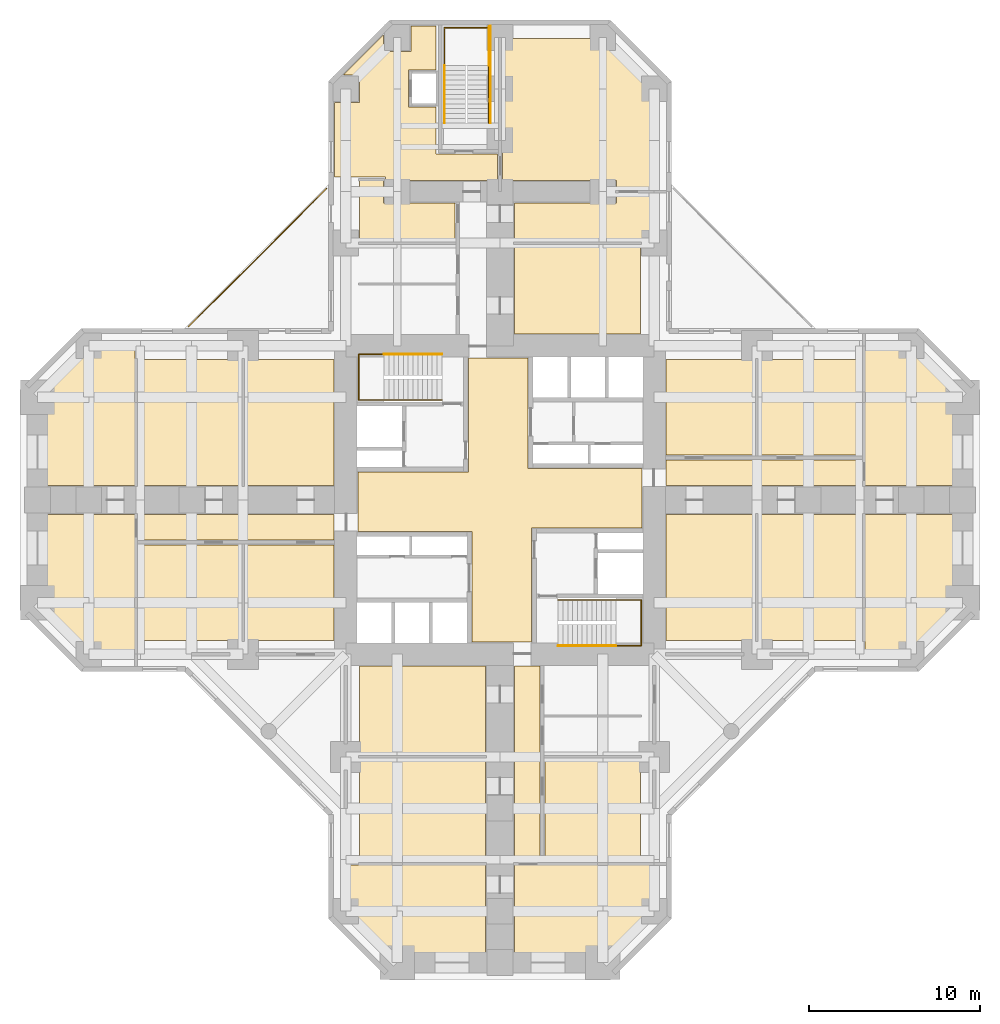
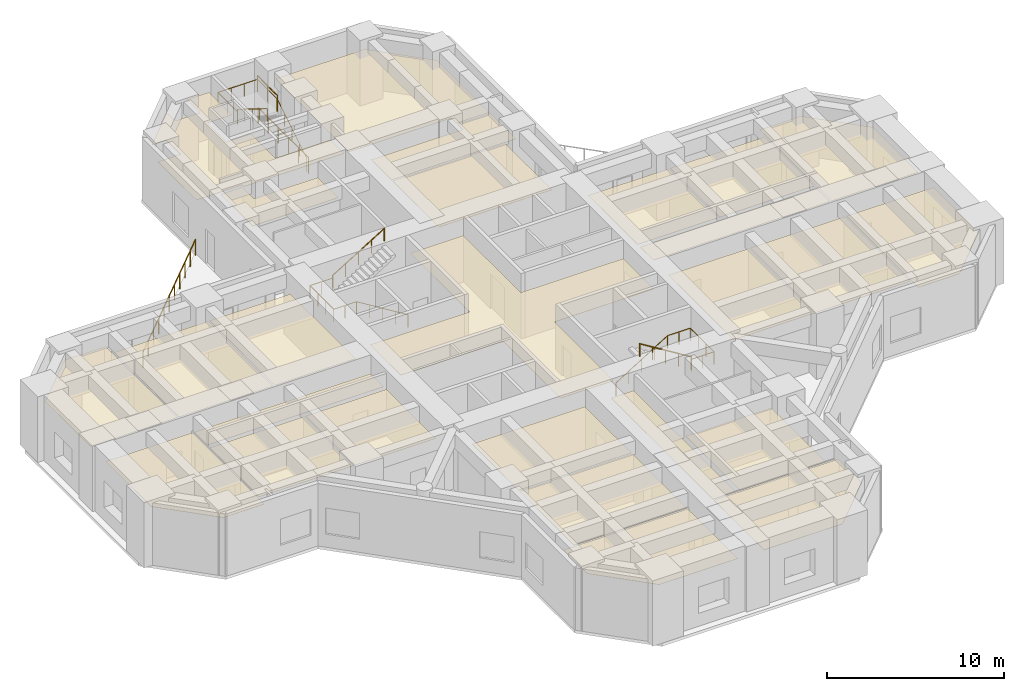
# One storey, part 9 of 10: 26 coverings, 9 railings.
"""IFC4 building model written with IfcOpenShell, lengths in metres."""

from ifc_helpers import new_model, si_unit, direction, frame, origin, origin_2d, place, context, subcontext, project, spatial, polyline, circle, outline, extrude, material, layer, layer_set, constituent, constituent_set, type_object, element, save


model = new_model("IFC4")

# Units and contexts
model_context = context("Model", 3, precision=1e-05, world=origin(), true_north=direction((0.0, 1.0)))
body_context = subcontext(model_context, "Body", "Model", "MODEL_VIEW")
ifc_project = project(units=[si_unit("LENGTHUNIT", "METRE"), si_unit("AREAUNIT", "SQUARE_METRE"), si_unit("VOLUMEUNIT", "CUBIC_METRE"), si_unit("PLANEANGLEUNIT", "RADIAN"), si_unit("MASSUNIT", "GRAM", prefix="KILO")], contexts=[model_context])

# Site, building, storey
site_placement = place(None, origin())
site = spatial("IfcSite", under=ifc_project, at=site_placement, CompositionType="ELEMENT")
building_placement = place(site_placement, origin())
building = spatial("IfcBuilding", under=site, at=building_placement, Name="Torre Cruceta", CompositionType="ELEMENT")
storey_placement = place(building_placement, frame((0.0, 0.0, 5.0)))
storey = spatial("IfcBuildingStorey", under=building, at=storey_placement, Name="L01", CompositionType="ELEMENT", Elevation=5.0)

# Railings
ifc_material_1 = material(Name="Stainless steel 1.4401", Category="steel")
railing_type_1 = type_object("IfcRailingType", Name="HANDRAIL 900", PredefinedType="HANDRAIL", material=ifc_material_1)
railing_1_placement = place(storey_placement, frame((-3.39990234375, 5.8349609375, 0.173095703125)))
element("IfcRailing", 1, at=railing_1_placement, inside=storey, type_object=railing_type_1, Name="Handrail HR1 ST1 L01", PredefinedType="HANDRAIL", context=body_context, shape_type="SweptSolid", body=[
    extrude(circle(Radius=0.02392578125, at=origin_2d()), frame((0.0, 0.0, 0.8759765625), z_axis=(-0.850623216509, 0.0, 0.525775754039), x_axis=(0.0, -1.0, 0.0)), (0.0, 0.0, 1.0), 3.9501953125),
    extrude(circle(Radius=0.02392578125, at=origin_2d()), frame((-3.360107421875, 0.0, 2.95263671875), z_axis=(-1.0, 0.0, 0.0), x_axis=(0.0, -1.0, 0.0)), (0.0, 0.0, 1.0), 1.47998046875),
    extrude(circle(Radius=0.02392578125, at=origin_2d()), frame((-4.840087890625, 0.0, 2.95263671875), z_axis=(0.0, 1.0, 0.0), x_axis=(-1.0, 0.0, 0.0)), (0.0, 0.0, 1.0), 2.679931640625),
    extrude(circle(Radius=0.02392578125, at=origin_2d()), frame((-4.840087890625, 2.679931640625, 2.95263671875), z_axis=(1.0, 0.0, 0.0), x_axis=(0.0, 1.0, 0.0)), (0.0, 0.0, 1.0), 1.47998046875),
    extrude(circle(Radius=0.02099609375, at=origin_2d()), origin(), (0.0, 0.0, 1.0), 0.851806640625),
    extrude(circle(Radius=0.02099609375, at=origin_2d()), frame((-0.840087890625, 0.0, 0.519287109375)), (0.0, 0.0, 1.0), 0.851806640625),
    extrude(circle(Radius=0.02099609375, at=origin_2d()), frame((-1.68017578125, 0.0, 1.03857421875)), (0.0, 0.0, 1.0), 0.851806640625),
    extrude(circle(Radius=0.02099609375, at=origin_2d()), frame((-2.52001953125, 0.0, 1.5576171875)), (0.0, 0.0, 1.0), 0.851806640625),
    extrude(circle(Radius=0.02099609375, at=origin_2d()), frame((-3.360107421875, 0.0, 2.076904296875)), (0.0, 0.0, 1.0), 0.851806640625),
    extrude(circle(Radius=0.02099609375, at=origin_2d()), frame((-4.10009765625, 0.0, 2.076904296875)), (0.0, 0.0, 1.0), 0.851806640625),
    extrude(circle(Radius=0.02099609375, at=origin_2d()), frame((-4.840087890625, 0.0, 2.076904296875)), (0.0, 0.0, 1.0), 0.851806640625),
    extrude(circle(Radius=0.02099609375, at=origin_2d()), frame((-4.840087890625, 0.893310546875, 2.076904296875)), (0.0, 0.0, 1.0), 0.851806640625),
    extrude(circle(Radius=0.02099609375, at=origin_2d()), frame((-4.840087890625, 1.78662109375, 2.076904296875)), (0.0, 0.0, 1.0), 0.851806640625),
    extrude(circle(Radius=0.02099609375, at=origin_2d()), frame((-4.840087890625, 2.679931640625, 2.076904296875)), (0.0, 0.0, 1.0), 0.851806640625),
    extrude(circle(Radius=0.02099609375, at=origin_2d()), frame((-4.10009765625, 2.679931640625, 2.076904296875)), (0.0, 0.0, 1.0), 0.851806640625),
    extrude(circle(Radius=0.02099609375, at=origin_2d()), frame((-3.360107421875, 2.679931640625, 2.076904296875)), (0.0, 0.0, 1.0), 0.851806640625),
])
railing_2_placement = place(storey_placement, frame((-6.760009765625, 8.514892578125, 2.423095703125)))
element("IfcRailing", 2, at=railing_2_placement, inside=storey, type_object=railing_type_1, Name="Handrail HR1 ST1 L01", PredefinedType="HANDRAIL", context=body_context, shape_type="SweptSolid", body=[
    extrude(circle(Radius=0.02392578125, at=origin_2d()), frame((0.0, 0.0, 0.8759765625), z_axis=(0.850623216509, 0.0, 0.525775754039), x_axis=(0.0, 1.0, 0.0)), (0.0, 0.0, 1.0), 3.9501953125),
    extrude(circle(Radius=0.02099609375, at=origin_2d()), origin(), (0.0, 0.0, 1.0), 0.851806640625),
    extrude(circle(Radius=0.02099609375, at=origin_2d()), frame((0.840087890625, 0.0, 0.519287109375)), (0.0, 0.0, 1.0), 0.851806640625),
    extrude(circle(Radius=0.02099609375, at=origin_2d()), frame((1.68017578125, 0.0, 1.03857421875)), (0.0, 0.0, 1.0), 0.851806640625),
    extrude(circle(Radius=0.02099609375, at=origin_2d()), frame((2.52001953125, 0.0, 1.5576171875)), (0.0, 0.0, 1.0), 0.851806640625),
    extrude(circle(Radius=0.02099609375, at=origin_2d()), frame((3.360107421875, 0.0, 2.076904296875)), (0.0, 0.0, 1.0), 0.851806640625),
])
railing_3_placement = place(storey_placement, frame((3.39990234375, -5.8349609375, 0.173095703125)))
element("IfcRailing", 3, at=railing_3_placement, inside=storey, type_object=railing_type_1, Name="Handrail HR1 ST2 L01", PredefinedType="HANDRAIL", context=body_context, shape_type="SweptSolid", body=[
    extrude(circle(Radius=0.02392578125, at=origin_2d()), frame((0.0, 0.0, 0.8759765625), z_axis=(0.850623216509, 0.0, 0.525775754039), x_axis=(0.0, 1.0, 0.0)), (0.0, 0.0, 1.0), 3.9501953125),
    extrude(circle(Radius=0.02392578125, at=origin_2d()), frame((3.360107421875, 0.0, 2.95263671875), z_axis=(1.0, 0.0, 0.0), x_axis=(0.0, 1.0, 0.0)), (0.0, 0.0, 1.0), 1.47998046875),
    extrude(circle(Radius=0.02392578125, at=origin_2d()), frame((4.840087890625, 0.0, 2.95263671875), z_axis=(0.0, -1.0, 0.0), x_axis=(1.0, 0.0, 0.0)), (0.0, 0.0, 1.0), 2.679931640625),
    extrude(circle(Radius=0.02392578125, at=origin_2d()), frame((4.840087890625, -2.679931640625, 2.95263671875), z_axis=(-1.0, 0.0, 0.0), x_axis=(0.0, -1.0, 0.0)), (0.0, 0.0, 1.0), 1.47998046875),
    extrude(circle(Radius=0.02099609375, at=origin_2d()), origin(), (0.0, 0.0, 1.0), 0.851806640625),
    extrude(circle(Radius=0.02099609375, at=origin_2d()), frame((0.840087890625, 0.0, 0.519287109375)), (0.0, 0.0, 1.0), 0.851806640625),
    extrude(circle(Radius=0.02099609375, at=origin_2d()), frame((1.68017578125, 0.0, 1.03857421875)), (0.0, 0.0, 1.0), 0.851806640625),
    extrude(circle(Radius=0.02099609375, at=origin_2d()), frame((2.52001953125, 0.0, 1.5576171875)), (0.0, 0.0, 1.0), 0.851806640625),
    extrude(circle(Radius=0.02099609375, at=origin_2d()), frame((3.360107421875, 0.0, 2.076904296875)), (0.0, 0.0, 1.0), 0.851806640625),
    extrude(circle(Radius=0.02099609375, at=origin_2d()), frame((4.10009765625, 0.0, 2.076904296875)), (0.0, 0.0, 1.0), 0.851806640625),
    extrude(circle(Radius=0.02099609375, at=origin_2d()), frame((4.840087890625, 0.0, 2.076904296875)), (0.0, 0.0, 1.0), 0.851806640625),
    extrude(circle(Radius=0.02099609375, at=origin_2d()), frame((4.840087890625, -0.893310546875, 2.076904296875)), (0.0, 0.0, 1.0), 0.851806640625),
    extrude(circle(Radius=0.02099609375, at=origin_2d()), frame((4.840087890625, -1.78662109375, 2.076904296875)), (0.0, 0.0, 1.0), 0.851806640625),
    extrude(circle(Radius=0.02099609375, at=origin_2d()), frame((4.840087890625, -2.679931640625, 2.076904296875)), (0.0, 0.0, 1.0), 0.851806640625),
    extrude(circle(Radius=0.02099609375, at=origin_2d()), frame((4.10009765625, -2.679931640625, 2.076904296875)), (0.0, 0.0, 1.0), 0.851806640625),
    extrude(circle(Radius=0.02099609375, at=origin_2d()), frame((3.360107421875, -2.679931640625, 2.076904296875)), (0.0, 0.0, 1.0), 0.851806640625),
])
railing_4_placement = place(storey_placement, frame((6.760009765625, -8.514892578125, 2.423095703125)))
element("IfcRailing", 4, at=railing_4_placement, inside=storey, type_object=railing_type_1, Name="Handrail HR1 ST2 L01", PredefinedType="HANDRAIL", context=body_context, shape_type="SweptSolid", body=[
    extrude(circle(Radius=0.02392578125, at=origin_2d()), frame((0.0, 0.0, 0.8759765625), z_axis=(-0.850623216509, 0.0, 0.525775754039), x_axis=(0.0, -1.0, 0.0)), (0.0, 0.0, 1.0), 3.9501953125),
    extrude(circle(Radius=0.02099609375, at=origin_2d()), origin(), (0.0, 0.0, 1.0), 0.851806640625),
    extrude(circle(Radius=0.02099609375, at=origin_2d()), frame((-0.840087890625, 0.0, 0.519287109375)), (0.0, 0.0, 1.0), 0.851806640625),
    extrude(circle(Radius=0.02099609375, at=origin_2d()), frame((-1.68017578125, 0.0, 1.03857421875)), (0.0, 0.0, 1.0), 0.851806640625),
    extrude(circle(Radius=0.02099609375, at=origin_2d()), frame((-2.52001953125, 0.0, 1.5576171875)), (0.0, 0.0, 1.0), 0.851806640625),
    extrude(circle(Radius=0.02099609375, at=origin_2d()), frame((-3.360107421875, 0.0, 2.076904296875)), (0.0, 0.0, 1.0), 0.851806640625),
])
railing_5_placement = place(storey_placement, frame((-0.659912109375, 22.0, 0.173095703125)))
element("IfcRailing", 5, at=railing_5_placement, inside=storey, type_object=railing_type_1, Name="Handrail HR1 ST3 L01", PredefinedType="HANDRAIL", context=body_context, shape_type="SweptSolid", body=[
    extrude(circle(Radius=0.02392578125, at=origin_2d()), frame((0.0, 0.0, 0.8759765625), z_axis=(0.0, 0.850623216509, 0.525775754039), x_axis=(-1.0, 0.0, 0.0)), (0.0, 0.0, 1.0), 3.9501953125),
    extrude(circle(Radius=0.02392578125, at=origin_2d()), frame((0.0, 3.360107421875, 2.95263671875), z_axis=(0.0, 1.0, 0.0), x_axis=(-1.0, 0.0, 0.0)), (0.0, 0.0, 1.0), 2.199951171875),
    extrude(circle(Radius=0.02392578125, at=origin_2d()), frame((0.0, 5.56005859375, 2.95263671875), z_axis=(-1.0, 0.0, 0.0), x_axis=(0.0, -1.0, 0.0)), (0.0, 0.0, 1.0), 2.580078125),
    extrude(circle(Radius=0.02392578125, at=origin_2d()), frame((-2.580078125, 5.56005859375, 2.95263671875), z_axis=(0.0, -1.0, 0.0), x_axis=(1.0, 0.0, 0.0)), (0.0, 0.0, 1.0), 2.199951171875),
    extrude(circle(Radius=0.02099609375, at=origin_2d()), origin(), (0.0, 0.0, 1.0), 0.851806640625),
    extrude(circle(Radius=0.02099609375, at=origin_2d()), frame((0.0, 0.840087890625, 0.519287109375)), (0.0, 0.0, 1.0), 0.851806640625),
    extrude(circle(Radius=0.02099609375, at=origin_2d()), frame((0.0, 1.68017578125, 1.03857421875)), (0.0, 0.0, 1.0), 0.851806640625),
    extrude(circle(Radius=0.02099609375, at=origin_2d()), frame((0.0, 2.52001953125, 1.5576171875)), (0.0, 0.0, 1.0), 0.851806640625),
    extrude(circle(Radius=0.02099609375, at=origin_2d()), frame((0.0, 3.360107421875, 2.076904296875)), (0.0, 0.0, 1.0), 0.851806640625),
    extrude(circle(Radius=0.02099609375, at=origin_2d()), frame((0.0, 4.4599609375, 2.076904296875)), (0.0, 0.0, 1.0), 0.851806640625),
    extrude(circle(Radius=0.02099609375, at=origin_2d()), frame((0.0, 5.56005859375, 2.076904296875)), (0.0, 0.0, 1.0), 0.851806640625),
    extrude(circle(Radius=0.02099609375, at=origin_2d()), frame((-0.860107421875, 5.56005859375, 2.076904296875)), (0.0, 0.0, 1.0), 0.851806640625),
    extrude(circle(Radius=0.02099609375, at=origin_2d()), frame((-1.719970703125, 5.56005859375, 2.076904296875)), (0.0, 0.0, 1.0), 0.851806640625),
    extrude(circle(Radius=0.02099609375, at=origin_2d()), frame((-2.580078125, 5.56005859375, 2.076904296875)), (0.0, 0.0, 1.0), 0.851806640625),
    extrude(circle(Radius=0.02099609375, at=origin_2d()), frame((-2.580078125, 4.4599609375, 2.076904296875)), (0.0, 0.0, 1.0), 0.851806640625),
    extrude(circle(Radius=0.02099609375, at=origin_2d()), frame((-2.580078125, 3.360107421875, 2.076904296875)), (0.0, 0.0, 1.0), 0.851806640625),
])
railing_6_placement = place(storey_placement, frame((-3.239990234375, 25.360107421875, 2.423095703125)))
element("IfcRailing", 6, at=railing_6_placement, inside=storey, type_object=railing_type_1, Name="Handrail HR1 ST3 L01", PredefinedType="HANDRAIL", context=body_context, shape_type="SweptSolid", body=[
    extrude(circle(Radius=0.02392578125, at=origin_2d()), frame((0.0, 0.0, 0.8759765625), z_axis=(0.0, -0.850623216509, 0.525775754039), x_axis=(1.0, 0.0, 0.0)), (0.0, 0.0, 1.0), 3.9501953125),
    extrude(circle(Radius=0.02099609375, at=origin_2d()), origin(), (0.0, 0.0, 1.0), 0.851806640625),
    extrude(circle(Radius=0.02099609375, at=origin_2d()), frame((0.0, -0.840087890625, 0.519287109375)), (0.0, 0.0, 1.0), 0.851806640625),
    extrude(circle(Radius=0.02099609375, at=origin_2d()), frame((0.0, -1.68017578125, 1.03857421875)), (0.0, 0.0, 1.0), 0.851806640625),
    extrude(circle(Radius=0.02099609375, at=origin_2d()), frame((0.0, -2.52001953125, 1.5576171875)), (0.0, 0.0, 1.0), 0.851806640625),
    extrude(circle(Radius=0.02099609375, at=origin_2d()), frame((0.0, -3.360107421875, 2.076904296875)), (0.0, 0.0, 1.0), 0.851806640625),
])
ifc_material_2 = material(Name="Steel S275", Category="steel")
railing_type_2 = type_object("IfcRailingType", Name="STAIR GUARD 1100", PredefinedType="GUARDRAIL", material=ifc_material_2)
railing_7_placement = place(storey_placement, frame((-0.6298828125, 25.360107421875, 2.25)))
element("IfcRailing", 7, at=railing_7_placement, inside=storey, type_object=railing_type_2, Name="Stair guard GR2 ST3 landing L01", PredefinedType="GUARDRAIL", context=body_context, shape_type="SweptSolid", body=[
    extrude(circle(Radius=0.02392578125, at=origin_2d()), frame((0.0, 0.0, 1.076171875), z_axis=(0.0, 1.0, 0.0), x_axis=(-1.0, 0.0, 0.0)), (0.0, 0.0, 1.0), 2.260009765625),
    extrude(circle(Radius=0.02099609375, at=origin_2d()), origin(), (0.0, 0.0, 1.0), 1.052001953125),
    extrude(circle(Radius=0.02099609375, at=origin_2d()), frame((0.0, 1.1298828125, 0.0)), (0.0, 0.0, 1.0), 1.052001953125),
    extrude(circle(Radius=0.02099609375, at=origin_2d()), frame((0.0, 2.260009765625, 0.0)), (0.0, 0.0, 1.0), 1.052001953125),
])
railing_8_placement = place(storey_placement, frame((-0.550048828125, 22.0, 0.0)))
element("IfcRailing", 8, at=railing_8_placement, inside=storey, type_object=railing_type_2, Name="Stair guard GR2 ST3 well L01", PredefinedType="GUARDRAIL", context=body_context, shape_type="SweptSolid", body=[
    extrude(circle(Radius=0.02392578125, at=origin_2d()), frame((0.0, 0.0, 1.076171875), z_axis=(0.0, 1.0, 0.0), x_axis=(-1.0, 0.0, 0.0)), (0.0, 0.0, 1.0), 5.669921875),
    extrude(circle(Radius=0.02099609375, at=origin_2d()), origin(), (0.0, 0.0, 1.0), 1.052001953125),
    extrude(circle(Radius=0.02099609375, at=origin_2d()), frame((0.0, 1.134033203125, 0.0)), (0.0, 0.0, 1.0), 1.052001953125),
    extrude(circle(Radius=0.02099609375, at=origin_2d()), frame((0.0, 2.26806640625, 0.0)), (0.0, 0.0, 1.0), 1.052001953125),
    extrude(circle(Radius=0.02099609375, at=origin_2d()), frame((0.0, 3.40185546875, 0.0)), (0.0, 0.0, 1.0), 1.052001953125),
    extrude(circle(Radius=0.02099609375, at=origin_2d()), frame((0.0, 4.535888671875, 0.0)), (0.0, 0.0, 1.0), 1.052001953125),
    extrude(circle(Radius=0.02099609375, at=origin_2d()), frame((0.0, 5.669921875, 0.0)), (0.0, 0.0, 1.0), 1.052001953125),
])

# Coverings
ifc_material_3 = material(Name="Mineral fibre ceiling tile", Category="gypsum")
ifc_layer = layer(ifc_material_3, 0.02001953125)
ifc_layer_set = layer_set([ifc_layer], Name="Mineral fibre ceiling tile")
covering_type = type_object("IfcCoveringType", Name="SUSPENDED CEILING 20", PredefinedType="CEILING", material=ifc_layer_set)
covering_1_placement = place(storey_placement, frame((0.0, 0.0, 3.22998046875)))
element("IfcCovering", 9, at=covering_1_placement, inside=storey, type_object=covering_type, Name="Ceiling L01-001", PredefinedType="CEILING", context=body_context, shape_type="SweptSolid", body=[
    extrude(outline(polyline([(-1.625, -8.300048828125), (-1.625, -1.824951171875), (-8.300048828125, -1.824951171875), (-8.300048828125, 1.625), (-1.824951171875, 1.625), (-1.824951171875, 8.300048828125), (1.625, 8.300048828125), (1.625, 1.824951171875), (8.300048828125, 1.824951171875), (8.300048828125, -1.625), (1.824951171875, -1.625), (1.824951171875, -8.300048828125), (-1.625, -8.300048828125)])), origin(), (0.0, 0.0, 1.0), 0.02001953125),
])
covering_2_placement = place(storey_placement, frame((0.0, 0.0, 3.22998046875)))
element("IfcCovering", 10, at=covering_2_placement, inside=storey, type_object=covering_type, Name="Ceiling L01-023", PredefinedType="CEILING", context=body_context, shape_type="SweptSolid", body=[
    extrude(outline(polyline([(8.199951171875, 9.699951171875), (0.85009765625, 9.699951171875), (0.85009765625, 14.949951171875), (8.199951171875, 14.949951171875), (8.199951171875, 9.699951171875)])), origin(), (0.0, 0.0, 1.0), 0.02001953125),
])
covering_3_placement = place(storey_placement, frame((0.0, 0.0, 3.22998046875)))
element("IfcCovering", 11, at=covering_3_placement, inside=storey, type_object=covering_type, Name="Ceiling L01-027", PredefinedType="CEILING", context=body_context, shape_type="SweptSolid", body=[
    extrude(outline(polyline([(-2.625, 15.050048828125), (-8.199951171875, 15.050048828125), (-8.199951171875, 18.64990234375), (-6.800048828125, 18.64990234375), (-6.800048828125, 17.35009765625), (-2.625, 17.35009765625), (-2.625, 15.050048828125)])), origin(), (0.0, 0.0, 1.0), 0.02001953125),
])
covering_4_placement = place(storey_placement, frame((0.0, 0.0, 3.22998046875)))
element("IfcCovering", 12, at=covering_4_placement, inside=storey, type_object=covering_type, Name="Ceiling L01-030", PredefinedType="CEILING", context=body_context, shape_type="SweptSolid", body=[
    extrude(outline(polyline([(-9.669921875, 23.195068359375), (-8.195068359375, 23.195068359375), (-8.195068359375, 24.804931640625), (-9.142578125, 24.804931640625), (-6.804931640625, 27.142578125), (-6.804931640625, 26.195068359375), (-5.195068359375, 26.195068359375), (-5.195068359375, 27.669921875), (-3.75, 27.669921875), (-3.75, 25.10009765625), (-5.35009765625, 25.10009765625), (-5.35009765625, 22.949951171875), (-3.75, 22.949951171875), (-3.75, 20.199951171875), (-0.14990234375, 20.199951171875), (-0.14990234375, 18.64990234375), (-6.68994140625, 18.64990234375), (-6.68994140625, 18.85009765625), (-9.669921875, 18.85009765625), (-9.669921875, 23.195068359375)])), origin(), (0.0, 0.0, 1.0), 0.02001953125),
])
covering_5_placement = place(storey_placement, frame((0.0, 0.0, 3.22998046875)))
element("IfcCovering", 13, at=covering_5_placement, inside=storey, type_object=covering_type, Name="Ceiling L01-031", PredefinedType="CEILING", context=body_context, shape_type="SweptSolid", body=[
    extrude(outline(polyline([(6.800048828125, 18.050048828125), (6.800048828125, 18.64990234375), (0.14990234375, 18.64990234375), (0.14990234375, 26.949951171875), (5.979248046875, 26.949951171875), (8.949951171875, 23.979248046875), (8.949951171875, 18.050048828125), (6.800048828125, 18.050048828125)])), origin(), (0.0, 0.0, 1.0), 0.02001953125),
])
covering_6_placement = place(storey_placement, frame((0.0, 0.0, 3.22998046875)))
element("IfcCovering", 14, at=covering_6_placement, inside=storey, type_object=covering_type, Name="Ceiling L01-032", PredefinedType="CEILING", context=body_context, shape_type="SweptSolid", body=[
    extrude(outline(polyline([(0.85009765625, 15.050048828125), (0.85009765625, 17.35009765625), (6.800048828125, 17.35009765625), (6.800048828125, 17.949951171875), (8.949951171875, 17.949951171875), (8.949951171875, 15.050048828125), (0.85009765625, 15.050048828125)])), origin(), (0.0, 0.0, 1.0), 0.02001953125),
])
covering_7_placement = place(storey_placement, frame((0.0, 0.0, 3.22998046875)))
element("IfcCovering", 15, at=covering_7_placement, inside=storey, type_object=covering_type, Name="Ceiling L01-033", PredefinedType="CEILING", context=body_context, shape_type="SweptSolid", body=[
    extrude(outline(polyline([(9.699951171875, 0.85009765625), (9.699951171875, 2.324951171875), (21.199951171875, 2.324951171875), (21.199951171875, 0.85009765625), (9.699951171875, 0.85009765625)])), origin(), (0.0, 0.0, 1.0), 0.02001953125),
])
covering_8_placement = place(storey_placement, frame((0.0, 0.0, 3.22998046875)))
element("IfcCovering", 16, at=covering_8_placement, inside=storey, type_object=covering_type, Name="Ceiling L01-034", PredefinedType="CEILING", context=body_context, shape_type="SweptSolid", body=[
    extrude(outline(polyline([(9.699951171875, 2.625), (9.699951171875, 8.199951171875), (14.949951171875, 8.199951171875), (14.949951171875, 2.625), (9.699951171875, 2.625)])), origin(), (0.0, 0.0, 1.0), 0.02001953125),
])
covering_9_placement = place(storey_placement, frame((0.0, 0.0, 3.22998046875)))
element("IfcCovering", 17, at=covering_9_placement, inside=storey, type_object=covering_type, Name="Ceiling L01-035", PredefinedType="CEILING", context=body_context, shape_type="SweptSolid", body=[
    extrude(outline(polyline([(9.699951171875, -8.199951171875), (9.699951171875, -0.85009765625), (14.949951171875, -0.85009765625), (14.949951171875, -8.199951171875), (9.699951171875, -8.199951171875)])), origin(), (0.0, 0.0, 1.0), 0.02001953125),
])
covering_10_placement = place(storey_placement, frame((0.0, 0.0, 3.22998046875)))
element("IfcCovering", 18, at=covering_10_placement, inside=storey, type_object=covering_type, Name="Ceiling L01-036", PredefinedType="CEILING", context=body_context, shape_type="SweptSolid", body=[
    extrude(outline(polyline([(15.050048828125, 2.625), (15.050048828125, 8.199951171875), (21.199951171875, 8.199951171875), (21.199951171875, 2.625), (15.050048828125, 2.625)])), origin(), (0.0, 0.0, 1.0), 0.02001953125),
])
covering_11_placement = place(storey_placement, frame((0.0, 0.0, 3.22998046875)))
element("IfcCovering", 19, at=covering_11_placement, inside=storey, type_object=covering_type, Name="Ceiling L01-037", PredefinedType="CEILING", context=body_context, shape_type="SweptSolid", body=[
    extrude(outline(polyline([(15.050048828125, -8.199951171875), (15.050048828125, -0.85009765625), (21.199951171875, -0.85009765625), (21.199951171875, -8.199951171875), (15.050048828125, -8.199951171875)])), origin(), (0.0, 0.0, 1.0), 0.02001953125),
])
covering_12_placement = place(storey_placement, frame((0.0, 0.0, 3.22998046875)))
element("IfcCovering", 20, at=covering_12_placement, inside=storey, type_object=covering_type, Name="Ceiling L01-038", PredefinedType="CEILING", context=body_context, shape_type="SweptSolid", body=[
    extrude(outline(polyline([(21.300048828125, 8.949951171875), (23.979248046875, 8.949951171875), (26.949951171875, 5.979248046875), (26.949951171875, 0.85009765625), (21.300048828125, 0.85009765625), (21.300048828125, 8.949951171875)])), origin(), (0.0, 0.0, 1.0), 0.02001953125),
])
covering_13_placement = place(storey_placement, frame((0.0, 0.0, 3.22998046875)))
element("IfcCovering", 21, at=covering_13_placement, inside=storey, type_object=covering_type, Name="Ceiling L01-039", PredefinedType="CEILING", context=body_context, shape_type="SweptSolid", body=[
    extrude(outline(polyline([(26.949951171875, -5.979248046875), (23.979248046875, -8.949951171875), (21.300048828125, -8.949951171875), (21.300048828125, -0.85009765625), (26.949951171875, -0.85009765625), (26.949951171875, -5.979248046875)])), origin(), (0.0, 0.0, 1.0), 0.02001953125),
])
covering_14_placement = place(storey_placement, frame((0.0, 0.0, 3.22998046875)))
element("IfcCovering", 22, at=covering_14_placement, inside=storey, type_object=covering_type, Name="Ceiling L01-040", PredefinedType="CEILING", context=body_context, shape_type="SweptSolid", body=[
    extrude(outline(polyline([(0.85009765625, -9.699951171875), (2.324951171875, -9.699951171875), (2.324951171875, -21.199951171875), (0.85009765625, -21.199951171875), (0.85009765625, -9.699951171875)])), origin(), (0.0, 0.0, 1.0), 0.02001953125),
])
covering_15_placement = place(storey_placement, frame((0.0, 0.0, 3.22998046875)))
element("IfcCovering", 23, at=covering_15_placement, inside=storey, type_object=covering_type, Name="Ceiling L01-041", PredefinedType="CEILING", context=body_context, shape_type="SweptSolid", body=[
    extrude(outline(polyline([(-8.199951171875, -9.699951171875), (-0.85009765625, -9.699951171875), (-0.85009765625, -14.949951171875), (-8.199951171875, -14.949951171875), (-8.199951171875, -9.699951171875)])), origin(), (0.0, 0.0, 1.0), 0.02001953125),
])
covering_16_placement = place(storey_placement, frame((0.0, 0.0, 3.22998046875)))
element("IfcCovering", 24, at=covering_16_placement, inside=storey, type_object=covering_type, Name="Ceiling L01-042", PredefinedType="CEILING", context=body_context, shape_type="SweptSolid", body=[
    extrude(outline(polyline([(2.625, -15.050048828125), (8.199951171875, -15.050048828125), (8.199951171875, -21.199951171875), (2.625, -21.199951171875), (2.625, -15.050048828125)])), origin(), (0.0, 0.0, 1.0), 0.02001953125),
])
covering_17_placement = place(storey_placement, frame((0.0, 0.0, 3.22998046875)))
element("IfcCovering", 25, at=covering_17_placement, inside=storey, type_object=covering_type, Name="Ceiling L01-043", PredefinedType="CEILING", context=body_context, shape_type="SweptSolid", body=[
    extrude(outline(polyline([(-8.199951171875, -15.050048828125), (-0.85009765625, -15.050048828125), (-0.85009765625, -21.199951171875), (-8.199951171875, -21.199951171875), (-8.199951171875, -15.050048828125)])), origin(), (0.0, 0.0, 1.0), 0.02001953125),
])
covering_18_placement = place(storey_placement, frame((0.0, 0.0, 3.22998046875)))
element("IfcCovering", 26, at=covering_18_placement, inside=storey, type_object=covering_type, Name="Ceiling L01-044", PredefinedType="CEILING", context=body_context, shape_type="SweptSolid", body=[
    extrude(outline(polyline([(8.949951171875, -21.300048828125), (8.949951171875, -23.979248046875), (5.979248046875, -26.949951171875), (0.85009765625, -26.949951171875), (0.85009765625, -21.300048828125), (8.949951171875, -21.300048828125)])), origin(), (0.0, 0.0, 1.0), 0.02001953125),
])
covering_19_placement = place(storey_placement, frame((0.0, 0.0, 3.22998046875)))
element("IfcCovering", 27, at=covering_19_placement, inside=storey, type_object=covering_type, Name="Ceiling L01-045", PredefinedType="CEILING", context=body_context, shape_type="SweptSolid", body=[
    extrude(outline(polyline([(-5.979248046875, -26.949951171875), (-8.949951171875, -23.979248046875), (-8.949951171875, -21.300048828125), (-0.85009765625, -21.300048828125), (-0.85009765625, -26.949951171875), (-5.979248046875, -26.949951171875)])), origin(), (0.0, 0.0, 1.0), 0.02001953125),
])
covering_20_placement = place(storey_placement, frame((0.0, 0.0, 3.22998046875)))
element("IfcCovering", 28, at=covering_20_placement, inside=storey, type_object=covering_type, Name="Ceiling L01-048", PredefinedType="CEILING", context=body_context, shape_type="SweptSolid", body=[
    extrude(outline(polyline([(-9.699951171875, -0.85009765625), (-9.699951171875, -2.324951171875), (-21.199951171875, -2.324951171875), (-21.199951171875, -0.85009765625), (-9.699951171875, -0.85009765625)])), origin(), (0.0, 0.0, 1.0), 0.02001953125),
])
covering_21_placement = place(storey_placement, frame((0.0, 0.0, 3.22998046875)))
element("IfcCovering", 29, at=covering_21_placement, inside=storey, type_object=covering_type, Name="Ceiling L01-049", PredefinedType="CEILING", context=body_context, shape_type="SweptSolid", body=[
    extrude(outline(polyline([(-9.699951171875, -2.625), (-9.699951171875, -8.199951171875), (-14.949951171875, -8.199951171875), (-14.949951171875, -2.625), (-9.699951171875, -2.625)])), origin(), (0.0, 0.0, 1.0), 0.02001953125),
])
covering_22_placement = place(storey_placement, frame((0.0, 0.0, 3.22998046875)))
element("IfcCovering", 30, at=covering_22_placement, inside=storey, type_object=covering_type, Name="Ceiling L01-050", PredefinedType="CEILING", context=body_context, shape_type="SweptSolid", body=[
    extrude(outline(polyline([(-9.699951171875, 8.199951171875), (-9.699951171875, 0.85009765625), (-14.949951171875, 0.85009765625), (-14.949951171875, 8.199951171875), (-9.699951171875, 8.199951171875)])), origin(), (0.0, 0.0, 1.0), 0.02001953125),
])
covering_23_placement = place(storey_placement, frame((0.0, 0.0, 3.22998046875)))
element("IfcCovering", 31, at=covering_23_placement, inside=storey, type_object=covering_type, Name="Ceiling L01-051", PredefinedType="CEILING", context=body_context, shape_type="SweptSolid", body=[
    extrude(outline(polyline([(-15.050048828125, -2.625), (-15.050048828125, -8.199951171875), (-21.199951171875, -8.199951171875), (-21.199951171875, -2.625), (-15.050048828125, -2.625)])), origin(), (0.0, 0.0, 1.0), 0.02001953125),
])
covering_24_placement = place(storey_placement, frame((0.0, 0.0, 3.22998046875)))
element("IfcCovering", 32, at=covering_24_placement, inside=storey, type_object=covering_type, Name="Ceiling L01-052", PredefinedType="CEILING", context=body_context, shape_type="SweptSolid", body=[
    extrude(outline(polyline([(-15.050048828125, 8.199951171875), (-15.050048828125, 0.85009765625), (-21.199951171875, 0.85009765625), (-21.199951171875, 8.199951171875), (-15.050048828125, 8.199951171875)])), origin(), (0.0, 0.0, 1.0), 0.02001953125),
])
covering_25_placement = place(storey_placement, frame((0.0, 0.0, 3.22998046875)))
element("IfcCovering", 33, at=covering_25_placement, inside=storey, type_object=covering_type, Name="Ceiling L01-053", PredefinedType="CEILING", context=body_context, shape_type="SweptSolid", body=[
    extrude(outline(polyline([(-21.300048828125, -8.949951171875), (-23.979248046875, -8.949951171875), (-26.949951171875, -5.979248046875), (-26.949951171875, -0.85009765625), (-21.300048828125, -0.85009765625), (-21.300048828125, -8.949951171875)])), origin(), (0.0, 0.0, 1.0), 0.02001953125),
])
covering_26_placement = place(storey_placement, frame((0.0, 0.0, 3.22998046875)))
element("IfcCovering", 34, at=covering_26_placement, inside=storey, type_object=covering_type, Name="Ceiling L01-054", PredefinedType="CEILING", context=body_context, shape_type="SweptSolid", body=[
    extrude(outline(polyline([(-26.949951171875, 5.979248046875), (-23.979248046875, 8.949951171875), (-21.300048828125, 8.949951171875), (-21.300048828125, 0.85009765625), (-26.949951171875, 0.85009765625), (-26.949951171875, 5.979248046875)])), origin(), (0.0, 0.0, 1.0), 0.02001953125),
])

# Railing
ifc_material_4 = material(Name="Stainless steel 1.4401", Category="steel")
ifc_constituent_1 = constituent(ifc_material_4, Name="Frame")
ifc_material_5 = material(Name="Laminated safety glass", Category="glass")
ifc_constituent_2 = constituent(ifc_material_5, Name="Infill")
ifc_constituent_set = constituent_set(constituents=[ifc_constituent_1, ifc_constituent_2], Name="Stainless steel and laminated glass balustrade")
railing_type_3 = type_object("IfcRailingType", Name="TERRACE GUARD 1100", PredefinedType="GUARDRAIL", material=ifc_constituent_set)
railing_9_placement = place(storey_placement, frame((-18.18115234375, 10.1201171875, 0.0)))
element("IfcRailing", 35, at=railing_9_placement, inside=storey, type_object=railing_type_3, Name="GR1 terrace guard L01 1", PredefinedType="GUARDRAIL", context=body_context, shape_type="SweptSolid", body=[
    extrude(circle(Radius=0.02392578125, at=origin_2d()), frame((0.0, 0.0, 1.076171875), z_axis=(0.707106781187, 0.707106781187, 0.0), x_axis=(-0.707106781187, 0.707106781187, 0.0)), (0.0, 0.0, 1.0), 11.400146484375),
    extrude(circle(Radius=0.02099609375, at=origin_2d()), origin(), (0.0, 0.0, 1.0), 1.052001953125),
    extrude(circle(Radius=0.02099609375, at=origin_2d()), frame((0.80615234375, 0.80615234375, 0.0)), (0.0, 0.0, 1.0), 1.052001953125),
    extrude(circle(Radius=0.02099609375, at=origin_2d()), frame((1.6123046875, 1.6123046875, 0.0)), (0.0, 0.0, 1.0), 1.052001953125),
    extrude(circle(Radius=0.02099609375, at=origin_2d()), frame((2.418212890625, 2.418212890625, 0.0)), (0.0, 0.0, 1.0), 1.052001953125),
    extrude(circle(Radius=0.02099609375, at=origin_2d()), frame((3.224365234375, 3.224365234375, 0.0)), (0.0, 0.0, 1.0), 1.052001953125),
    extrude(circle(Radius=0.02099609375, at=origin_2d()), frame((4.030517578125, 4.030517578125, 0.0)), (0.0, 0.0, 1.0), 1.052001953125),
    extrude(circle(Radius=0.02099609375, at=origin_2d()), frame((4.836669921875, 4.836669921875, 0.0)), (0.0, 0.0, 1.0), 1.052001953125),
    extrude(circle(Radius=0.02099609375, at=origin_2d()), frame((5.642822265625, 5.642822265625, 0.0)), (0.0, 0.0, 1.0), 1.052001953125),
    extrude(circle(Radius=0.02099609375, at=origin_2d()), frame((6.44873046875, 6.44873046875, 0.0)), (0.0, 0.0, 1.0), 1.052001953125),
    extrude(circle(Radius=0.02099609375, at=origin_2d()), frame((7.2548828125, 7.2548828125, 0.0)), (0.0, 0.0, 1.0), 1.052001953125),
    extrude(circle(Radius=0.02099609375, at=origin_2d()), frame((8.06103515625, 8.06103515625, 0.0)), (0.0, 0.0, 1.0), 1.052001953125),
])

save(model, "model.ifc")
